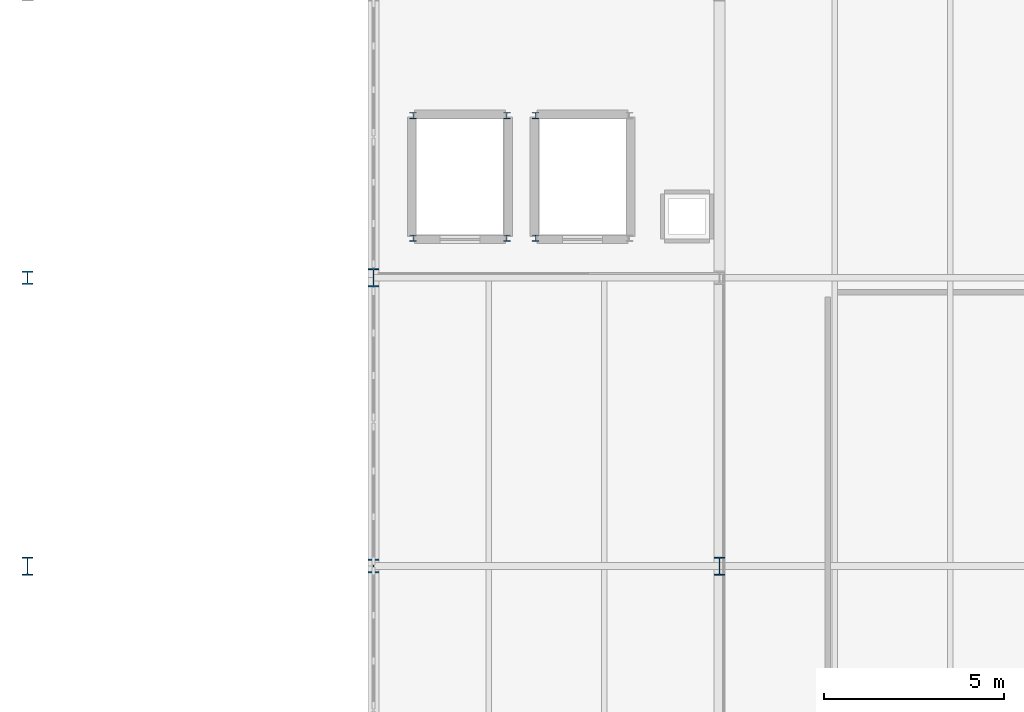
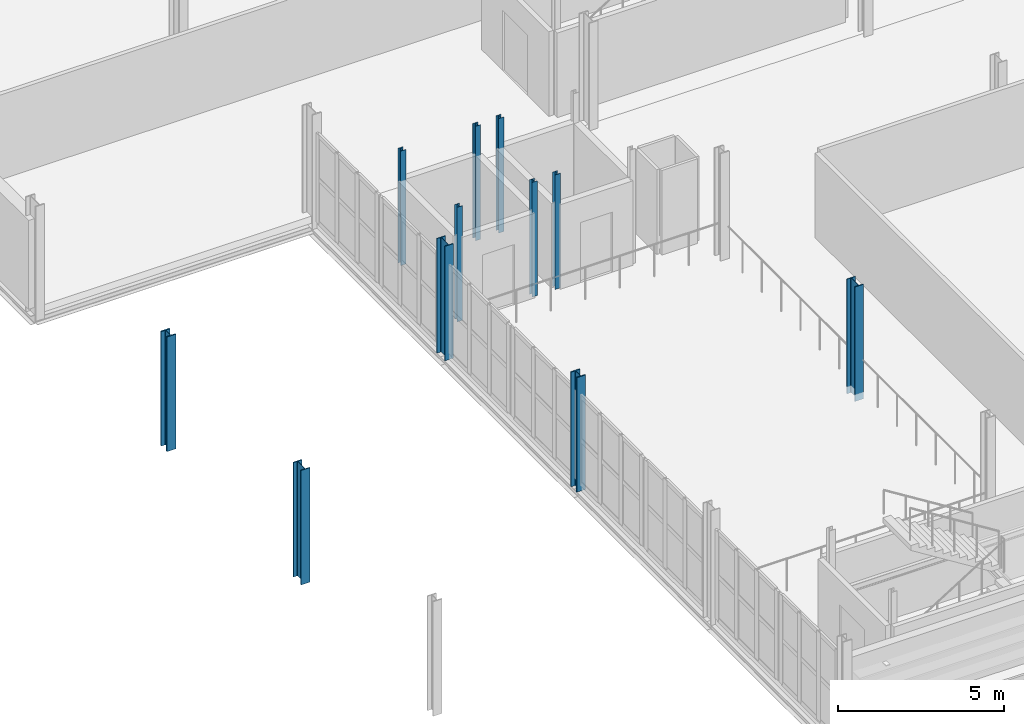
# One storey, part 11 of 78: 11 columns.
"""IFC4 building model written with IfcOpenShell, lengths in metres."""

from ifc_helpers import new_model, si_unit, direction, frame, origin, origin_2d, place, context, subcontext, project, spatial, i_section, extrude, material, material_profile, profile_set, type_object, element, save


model = new_model("IFC4")

# Units and contexts
model_context = context("Model", 3, precision=1e-05, world=origin(), true_north=direction((0.0, 1.0)))
body_context = subcontext(model_context, "Body", "Model", "MODEL_VIEW")
ifc_project = project(units=[si_unit("LENGTHUNIT", "METRE"), si_unit("AREAUNIT", "SQUARE_METRE"), si_unit("VOLUMEUNIT", "CUBIC_METRE"), si_unit("PLANEANGLEUNIT", "RADIAN"), si_unit("MASSUNIT", "GRAM", prefix="KILO")], contexts=[model_context])

# Site, building, storey
site_placement = place(None, origin())
site = spatial("IfcSite", under=ifc_project, at=site_placement, CompositionType="ELEMENT")
building_placement = place(site_placement, origin())
building = spatial("IfcBuilding", under=site, at=building_placement, Name="Alderhovde Museum", CompositionType="ELEMENT")
storey_placement = place(building_placement, frame((0.0, 0.0, 4.5)))
storey = spatial("IfcBuildingStorey", under=building, at=storey_placement, Name="L01", CompositionType="ELEMENT", Elevation=4.5)

# Columns
ifc_material_1 = material(Name="Steel S355J2", Category="steel")
ifc_material_profile_1 = material_profile(ifc_material_1, i_section(OverallWidth=0.179931640625, OverallDepth=0.1708984375, WebThickness=0.006103515625, FlangeThickness=0.009521484375, FilletRadius=0.014892578125, at=origin_2d()), Name="HEA 180")
ifc_profile_set_1 = profile_set([ifc_material_profile_1], Name="Steel S355J2")
column_type_1 = type_object("IfcColumnType", Name="COL-HEA180", PredefinedType="COLUMN", material=ifc_profile_set_1)
for number, where, z_axis, x_axis, name in (
    (1, (20.300048828125, 73.10009765625, 0.0), (0.0, 0.0, 1.0), (1.0, 0.0, 0.0), "L01 Lift PL-01 Shaft Column 1"),
    (2, (22.89990234375, 73.10009765625, 0.0), (0.0, 0.0, 1.0), (1.0, 0.0, 0.0), "L01 Lift PL-01 Shaft Column 2"),
    (3, (22.89990234375, 76.5, 0.0), (0.0, 0.0, 1.0), (1.0, 0.0, 0.0), "L01 Lift PL-01 Shaft Column 3"),
    (4, (20.300048828125, 76.5, 0.0), (0.0, 0.0, 1.0), (1.0, 0.0, 0.0), "L01 Lift PL-01 Shaft Column 4"),
    (5, (23.699951171875, 73.10009765625, 0.0), (0.0, 0.0, 1.0), (1.0, 0.0, 0.0), "L01 Lift PL-02 Shaft Column 1"),
    (6, (23.699951171875, 76.5, 0.0), (0.0, 0.0, 1.0), (1.0, 0.0, 0.0), "L01 Lift PL-02 Shaft Column 4"),
):
    element("IfcColumn", number, at=place(storey_placement, frame(where, z_axis=z_axis, x_axis=x_axis)), inside=storey, type_object=column_type_1, Name=name, PredefinedType="COLUMN", context=body_context, shape_type="SweptSolid", body=[
        extrude(i_section(OverallWidth=0.179931640625, OverallDepth=0.1708984375, WebThickness=0.006103515625, FlangeThickness=0.009521484375, FilletRadius=0.014892578125, at=origin_2d()), origin(), (0.0, 0.0, 1.0), 4.199951171875),
    ])
ifc_material_2 = material(Name="Steel S355J2", Category="steel")
ifc_material_profile_2 = material_profile(ifc_material_2, i_section(OverallWidth=0.300048828125, OverallDepth=0.5, WebThickness=0.014404296875, FlangeThickness=0.028076171875, FilletRadius=0.027099609375, at=origin_2d()), Name="HEB 500")
ifc_profile_set_2 = profile_set([ifc_material_profile_2], Name="Steel S355J2")
column_type_2 = type_object("IfcColumnType", Name="COL-HEB500", PredefinedType="COLUMN", material=ifc_profile_set_2)
for number, where, z_axis, x_axis, name in (
    (7, (9.60009765625, 64.0, -0.260009765625), (0.0, 0.0, 1.0), (1.0, 0.0, 0.0), "L01 Column (9.6, 64.0)"),
    (8, (19.199951171875, 72.0, -0.260009765625), (0.0, 0.0, 1.0), (1.0, 0.0, 0.0), "L01 Column (19.2, 72.0)"),
    (9, (28.800048828125, 64.0, -0.260009765625), (0.0, 0.0, 1.0), (1.0, 0.0, 0.0), "L01 Column (28.8, 64.0)"),
):
    element("IfcColumn", number, at=place(storey_placement, frame(where, z_axis=z_axis, x_axis=x_axis)), inside=storey, type_object=column_type_2, Name=name, PredefinedType="COLUMN", context=body_context, shape_type="SweptSolid", body=[
        extrude(i_section(OverallWidth=0.300048828125, OverallDepth=0.5, WebThickness=0.014404296875, FlangeThickness=0.028076171875, FilletRadius=0.027099609375, at=origin_2d()), origin(), (0.0, 0.0, 1.0), 4.199951171875),
    ])
ifc_material_3 = material(Name="Steel S355J2", Category="steel")
ifc_material_profile_3 = material_profile(ifc_material_3, i_section(OverallWidth=0.30908203125, OverallDepth=0.376953125, WebThickness=0.02099609375, FlangeThickness=0.0400390625, FilletRadius=0.027099609375, at=origin_2d()), Name="HEM 340")
ifc_profile_set_3 = profile_set([ifc_material_profile_3], Name="Steel S355J2")
column_type_3 = type_object("IfcColumnType", Name="COL-HEM340", PredefinedType="COLUMN", material=ifc_profile_set_3)
for number, where, z_axis, x_axis, name in (
    (10, (9.60009765625, 72.0, -0.260009765625), (0.0, 0.0, 1.0), (1.0, 0.0, 0.0), "L01 Column (9.6, 72.0)"),
    (11, (19.199951171875, 64.0, -0.260009765625), (0.0, 0.0, 1.0), (1.0, 0.0, 0.0), "L01 Column (19.2, 64.0)"),
):
    element("IfcColumn", number, at=place(storey_placement, frame(where, z_axis=z_axis, x_axis=x_axis)), inside=storey, type_object=column_type_3, Name=name, PredefinedType="COLUMN", context=body_context, shape_type="SweptSolid", body=[
        extrude(i_section(OverallWidth=0.30908203125, OverallDepth=0.376953125, WebThickness=0.02099609375, FlangeThickness=0.0400390625, FilletRadius=0.027099609375, at=origin_2d()), origin(), (0.0, 0.0, 1.0), 4.199951171875),
    ])

save(model, "model.ifc")
